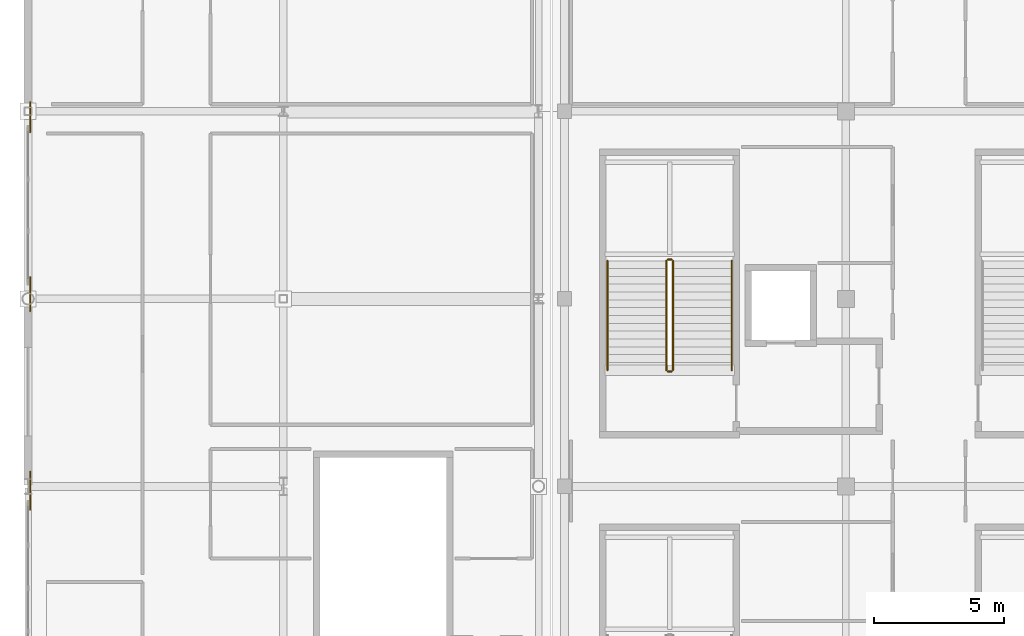
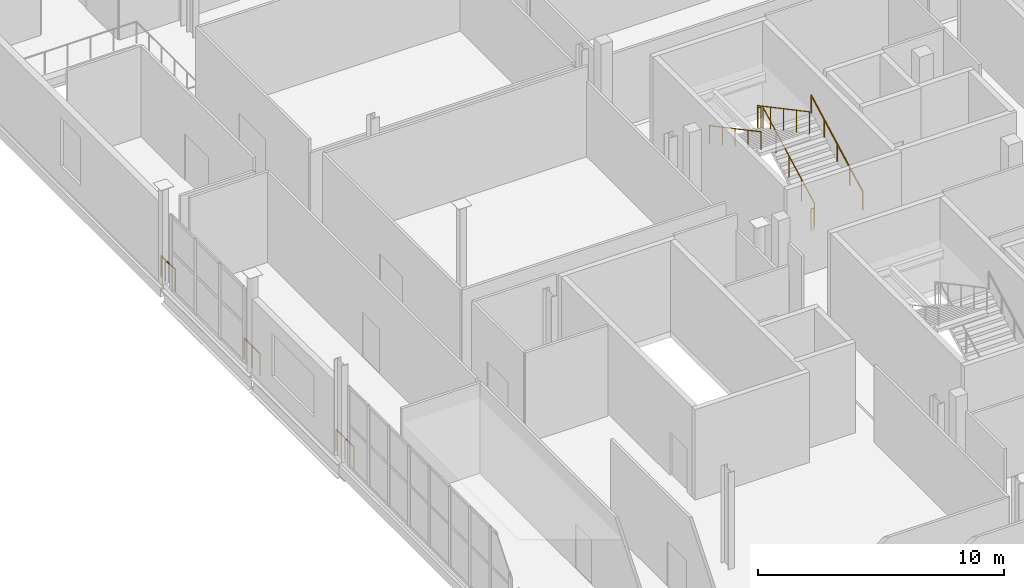
# One storey, part 123 of 142: 10 railings.
"""IFC4 building model written with IfcOpenShell, lengths in metres."""

import ifcopenshell
import ifcopenshell.guid

model = None  # the IFC model being written
_history = None  # IfcOwnerHistory: only IFC2X3 demands one
_inside = {}  # id of a spatial element -> (the spatial element, [elements in it])
_under = {}  # id of a project, library or spatial element -> (it, [spatial elements below it])
_declared = {}  # id of a project -> (the project, [libraries it declares])
_typed = {}  # id of a type object -> (the type object, [elements of that type])
_made_of = {}  # id of a material, layer set ... -> (it, [elements and type objects made of it])


def new_model(schema):
    """Start an empty IFC model of exactly this schema.

    Asked for "IFC4X3", IfcOpenShell would pick the latest addendum, in which some entities
    have other attributes; the version numbers below select the first issue.
    IFC2X3 requires an IfcOwnerHistory on every rooted entity: one is made here for all.
    """
    global model, _history
    if schema == "IFC4X3":
        model = ifcopenshell.file(schema_version=(4, 3, 0, 0))
    else:
        model = ifcopenshell.file(schema=schema)
    _inside.clear()
    _under.clear()
    _declared.clear()
    _typed.clear()
    _made_of.clear()
    _history = None
    if model.schema == "IFC2X3":
        org = make("IfcOrganization", Name="unknown")
        user = make(
            "IfcPersonAndOrganization",
            ThePerson=make("IfcPerson", FamilyName="unknown"),
            TheOrganization=org,
        )
        app = make(
            "IfcApplication",
            ApplicationDeveloper=org,
            Version="unknown",
            ApplicationFullName="unknown",
            ApplicationIdentifier="unknown",
        )
        _history = make(
            "IfcOwnerHistory",
            OwningUser=user,
            OwningApplication=app,
            ChangeAction="ADDED",
            CreationDate=0,
        )
    return model


def make(cls, **values):
    """One entity of the class cls with the attributes given. An attribute that is None is left unset."""
    return model.create_entity(
        cls, **{name: value for name, value in values.items() if value is not None}
    )


def rooted(cls, **values):
    """An entity with a GlobalId (a new one), such as an element, a storey or a relation."""
    return make(cls, GlobalId=ifcopenshell.guid.new(), OwnerHistory=_history, **values)


def si_unit(unit_type, name, prefix=None):
    """IfcSIUnit, for example si_unit("LENGTHUNIT", "METRE", prefix="MILLI")."""
    return make("IfcSIUnit", UnitType=unit_type, Prefix=prefix, Name=name)


def assignment(units):
    """IfcUnitAssignment: the units of a project."""
    return None if units is None else make("IfcUnitAssignment", Units=units)


def point(xyz):
    """IfcCartesianPoint."""
    return None if xyz is None else make("IfcCartesianPoint", Coordinates=xyz)


def direction(xyz):
    """IfcDirection."""
    return None if xyz is None else make("IfcDirection", DirectionRatios=xyz)


def frame(location, z_axis=None, x_axis=None):
    """IfcAxis2Placement3D, a coordinate frame: its origin and axes. An axis left out is left unset."""
    return make(
        "IfcAxis2Placement3D",
        Location=point(location),
        Axis=direction(z_axis),
        RefDirection=direction(x_axis),
    )


def frame_2d(location, x_axis=None):
    """IfcAxis2Placement2D, a coordinate frame in the plane: its origin and x axis."""
    return make(
        "IfcAxis2Placement2D", Location=point(location), RefDirection=direction(x_axis)
    )


def origin():
    """The frame at (0, 0, 0) with its axes left unset."""
    return frame((0.0, 0.0, 0.0))


def origin_2d():
    """The frame at (0, 0) in the plane with its x axis left unset."""
    return frame_2d((0.0, 0.0))


def place(relative_to, where):
    """IfcLocalPlacement: puts the frame where relative to a parent placement (None: the world)."""
    return make(
        "IfcLocalPlacement", PlacementRelTo=relative_to, RelativePlacement=where
    )


def context(
    kind, dimensions, precision=None, world=None, true_north=None, identifier=None
):
    """IfcGeometricRepresentationContext, for example the 3D "Model" context."""
    return make(
        "IfcGeometricRepresentationContext",
        ContextIdentifier=identifier,
        ContextType=kind,
        CoordinateSpaceDimension=dimensions,
        Precision=precision,
        WorldCoordinateSystem=world,
        TrueNorth=true_north,
    )


def subcontext(parent, identifier, kind, view, scale=None):
    """IfcGeometricRepresentationSubContext, for example "Body" below "Model"."""
    return make(
        "IfcGeometricRepresentationSubContext",
        ContextIdentifier=identifier,
        ContextType=kind,
        ParentContext=parent,
        TargetScale=scale,
        TargetView=view,
    )


def project(units=None, contexts=None):
    """IfcProject with its units and contexts."""
    return rooted(
        "IfcProject",
        Name="project",
        RepresentationContexts=contexts,
        UnitsInContext=assignment(units),
    )


def spatial(cls, under=None, at=None, **own):
    """A site, building, storey or space (cls), placed at a placement, below another one or the project."""
    s = rooted(cls, ObjectPlacement=at, **own)
    if under is not None:
        _under.setdefault(under.id(), (under, []))[1].append(s)
    return s


def profile(cls, at=None, kind="AREA", **sizes):
    """A parametric profile (cls). Its sizes go by their IFC names, for example OverallWidth=200.0."""
    return make(cls, ProfileType=kind, Position=at, **sizes)


def circle(**sizes):
    """IfcCircleProfileDef."""
    return profile("IfcCircleProfileDef", **sizes)


def extrude(swept, where, along, depth):
    """IfcExtrudedAreaSolid: the profile swept, set in the frame where, extruded along a direction by depth."""
    return make(
        "IfcExtrudedAreaSolid",
        SweptArea=swept,
        Position=where,
        ExtrudedDirection=direction(along),
        Depth=depth,
    )


def shape(context_of_items, identifier, shape_type, items):
    """IfcShapeRepresentation: the items that make up one representation, for example the "Body"."""
    return make(
        "IfcShapeRepresentation",
        ContextOfItems=context_of_items,
        RepresentationIdentifier=identifier,
        RepresentationType=shape_type,
        Items=items,
    )


def material(Name=None, Category=None):
    """IfcMaterial."""
    return make("IfcMaterial", Name=Name, Category=Category)


def made_of(thing, what):
    """Note that an element or type object is made of a material, layer set ...; save() writes the relation."""
    if what is not None:
        _made_of.setdefault(what.id(), (what, []))[1].append(thing)
    return thing


def type_object(cls, material=None, **own):
    """A type object (cls), such as IfcWallType, which elements share."""
    return made_of(rooted(cls, **own), material)


def element(
    cls,
    number,
    at=None,
    inside=None,
    cuts=None,
    type_object=None,
    material=None,
    context=None,
    identifier="Body",
    shape_type=None,
    held_by="IfcProductDefinitionShape",
    body=None,
    shapes=None,
    **own,
):
    """One element of the class cls, such as IfcWall. Its Tag is "e" and its number.

    at: its placement. inside: the storey or other place that contains it. cuts: it is an
    opening in that element (IfcRelVoidsElement). A single representation is given by context,
    identifier, shape_type and body (its items); several are given by shapes. held_by: the class
    of the entity that holds the representations. save() writes the other relations.
    """
    e = rooted(cls, Tag="e%d" % number, ObjectPlacement=at, **own)
    if body is not None:
        shapes = [shape(context, identifier, shape_type, body)]
    if shapes is not None:
        e.Representation = make(held_by, Representations=shapes)
    if inside is not None:
        _inside.setdefault(inside.id(), (inside, []))[1].append(e)
    if cuts is not None:
        rooted(
            "IfcRelVoidsElement", RelatingBuildingElement=cuts, RelatedOpeningElement=e
        )
    if type_object is not None:
        _typed.setdefault(type_object.id(), (type_object, []))[1].append(e)
    return made_of(e, material)


def aggregate(whole, parts):
    """IfcRelAggregates: a whole, such as a stair, and the parts it consists of."""
    return rooted("IfcRelAggregates", RelatingObject=whole, RelatedObjects=parts)


def save(model, path):
    """Write the relations noted so far, then the file.

    IfcRelAggregates (storeys below a building ...), IfcRelContainedInSpatialStructure (elements
    in a storey), IfcRelDefinesByType, IfcRelAssociatesMaterial and IfcRelDeclares: one each for
    every whole, place, type object, material and project.
    """
    for whole, parts in _under.values():
        aggregate(whole, parts)
    for where, things in _inside.values():
        rooted(
            "IfcRelContainedInSpatialStructure",
            RelatedElements=things,
            RelatingStructure=where,
        )
    for kind, things in _typed.values():
        rooted("IfcRelDefinesByType", RelatedObjects=things, RelatingType=kind)
    for what, things in _made_of.values():
        rooted("IfcRelAssociatesMaterial", RelatedObjects=things, RelatingMaterial=what)
    for by, libraries in _declared.values():
        rooted("IfcRelDeclares", RelatingContext=by, RelatedDefinitions=libraries)
    model.write(path)


model = new_model("IFC4")

# Units and contexts
model_context = context("Model", 3, precision=1e-05, world=origin(), true_north=direction((0.0, 1.0)))
body_context = subcontext(model_context, "Body", "Model", "MODEL_VIEW")
ifc_project = project(units=[si_unit("LENGTHUNIT", "METRE"), si_unit("AREAUNIT", "SQUARE_METRE"), si_unit("VOLUMEUNIT", "CUBIC_METRE"), si_unit("PLANEANGLEUNIT", "RADIAN"), si_unit("MASSUNIT", "GRAM", prefix="KILO")], contexts=[model_context])

# Site, building, storey
site_placement = place(None, origin())
site = spatial("IfcSite", under=ifc_project, at=site_placement, CompositionType="ELEMENT")
building_placement = place(site_placement, origin())
building = spatial("IfcBuilding", under=site, at=building_placement, Name="Koshinbarg Plaza Stadium", CompositionType="ELEMENT")
storey_placement = place(building_placement, frame((0.0, 0.0, 10.199951171875)))
storey = spatial("IfcBuildingStorey", under=building, at=storey_placement, Name="L02", CompositionType="ELEMENT", Elevation=10.199951171875)

# Railings
ifc_material_1 = material(Name="Toughened laminated glass and stainless steel sightline balustrade", Category="steel")
railing_type_1 = type_object("IfcRailingType", Name="RL-BOWL-1100", PredefinedType="BALUSTRADE", material=ifc_material_1)
railing_1_placement = place(storey_placement, frame((4.080078125, 96.611083984375, 0.0)))
element("IfcRailing", 1, at=railing_1_placement, inside=storey, type_object=railing_type_1, Name="L02 deck edge safety balustrade 0204", PredefinedType="BALUSTRADE", context=body_context, shape_type="SweptSolid", body=[
    extrude(circle(Radius=0.02392578125, at=origin_2d()), frame((0.0, 0.0, 1.076171875), z_axis=(0.0, 1.0, 0.0), x_axis=(-1.0, 0.0, 0.0)), (0.0, 0.0, 1.0), 1.44580078125),
    extrude(circle(Radius=0.02099609375, at=origin_2d()), origin(), (0.0, 0.0, 1.0), 1.052001953125),
    extrude(circle(Radius=0.02099609375, at=origin_2d()), frame((0.0, 0.722900390625, 0.0)), (0.0, 0.0, 1.0), 1.052001953125),
    extrude(circle(Radius=0.02099609375, at=origin_2d()), frame((0.0, 1.44580078125, 0.0)), (0.0, 0.0, 1.0), 1.052001953125),
])
railing_2_placement = place(storey_placement, frame((4.080078125, 104.230224609375, 0.0)))
element("IfcRailing", 2, at=railing_2_placement, inside=storey, type_object=railing_type_1, Name="L02 deck edge safety balustrade 0205", PredefinedType="BALUSTRADE", context=body_context, shape_type="SweptSolid", body=[
    extrude(circle(Radius=0.02392578125, at=origin_2d()), frame((0.0, 0.0, 1.076171875), z_axis=(0.0, 1.0, 0.0), x_axis=(-1.0, 0.0, 0.0)), (0.0, 0.0, 1.0), 1.29638671875),
    extrude(circle(Radius=0.02099609375, at=origin_2d()), origin(), (0.0, 0.0, 1.0), 1.052001953125),
    extrude(circle(Radius=0.02099609375, at=origin_2d()), frame((0.0, 0.648193359375, 0.0)), (0.0, 0.0, 1.0), 1.052001953125),
    extrude(circle(Radius=0.02099609375, at=origin_2d()), frame((0.0, 1.29638671875, 0.0)), (0.0, 0.0, 1.0), 1.052001953125),
])
railing_3_placement = place(storey_placement, frame((4.080078125, 111.102294921875, 0.0)))
element("IfcRailing", 3, at=railing_3_placement, inside=storey, type_object=railing_type_1, Name="L02 deck edge safety balustrade 0206", PredefinedType="BALUSTRADE", context=body_context, shape_type="SweptSolid", body=[
    extrude(circle(Radius=0.02392578125, at=origin_2d()), frame((0.0, 0.0, 1.076171875), z_axis=(0.0, 1.0, 0.0), x_axis=(-1.0, 0.0, 0.0)), (0.0, 0.0, 1.0), 0.797607421875),
    extrude(circle(Radius=0.02099609375, at=origin_2d()), origin(), (0.0, 0.0, 1.0), 1.052001953125),
    extrude(circle(Radius=0.02099609375, at=origin_2d()), frame((0.0, 0.797607421875, 0.0)), (0.0, 0.0, 1.0), 1.052001953125),
])
railing_4_placement = place(storey_placement, frame((4.080078125, 111.89990234375, 0.0)))
element("IfcRailing", 4, at=railing_4_placement, inside=storey, type_object=railing_type_1, Name="L02 deck edge safety balustrade 0207", PredefinedType="BALUSTRADE", context=body_context, shape_type="SweptSolid", body=[
    extrude(circle(Radius=0.02392578125, at=origin_2d()), frame((0.0, 0.0, 1.076171875), z_axis=(0.0, 1.0, 0.0), x_axis=(-1.0, 0.0, 0.0)), (0.0, 0.0, 1.0), 0.349609375),
    extrude(circle(Radius=0.02099609375, at=origin_2d()), origin(), (0.0, 0.0, 1.0), 1.052001953125),
    extrude(circle(Radius=0.02099609375, at=origin_2d()), frame((0.0, 0.349609375, 0.0)), (0.0, 0.0, 1.0), 1.052001953125),
])
ifc_material_2 = material(Name="Galvanized painted steel guardrail", Category="steel")
railing_type_2 = type_object("IfcRailingType", Name="RL-GUARD-1100", PredefinedType="GUARDRAIL", material=ifc_material_2)
railing_5_placement = place(storey_placement, frame((28.760009765625, 101.9599609375, 0.16015625)))
element("IfcRailing", 5, at=railing_5_placement, inside=storey, type_object=railing_type_2, Name="L02 C06 stair guard 1", PredefinedType="GUARDRAIL", context=body_context, shape_type="SweptSolid", body=[
    extrude(circle(Radius=0.02392578125, at=origin_2d()), frame((0.0, 0.0, 1.076171875), z_axis=(0.0, 0.882351521365, 0.470590897432), x_axis=(-1.0, 0.0, 0.0)), (0.0, 0.0, 1.0), 4.760009765625),
    extrude(circle(Radius=0.02099609375, at=origin_2d()), origin(), (0.0, 0.0, 1.0), 1.052001953125),
    extrude(circle(Radius=0.02099609375, at=origin_2d()), frame((0.0, 1.050048828125, 0.56005859375)), (0.0, 0.0, 1.0), 1.052001953125),
    extrude(circle(Radius=0.02099609375, at=origin_2d()), frame((0.0, 2.10009765625, 1.1201171875)), (0.0, 0.0, 1.0), 1.052001953125),
    extrude(circle(Radius=0.02099609375, at=origin_2d()), frame((0.0, 3.14990234375, 1.679931640625)), (0.0, 0.0, 1.0), 1.052001953125),
    extrude(circle(Radius=0.02099609375, at=origin_2d()), frame((0.0, 4.199951171875, 2.239990234375)), (0.0, 0.0, 1.0), 1.052001953125),
])
railing_6_placement = place(storey_placement, frame((28.7099609375, 106.2099609375, 2.400146484375)))
element("IfcRailing", 6, at=railing_6_placement, inside=storey, type_object=railing_type_2, Name="L02 C06 stair guard 2", PredefinedType="GUARDRAIL", context=body_context, shape_type="SweptSolid", body=[
    extrude(circle(Radius=0.02392578125, at=origin_2d()), frame((0.0, 0.0, 1.076171875), z_axis=(-1.0, 0.0, 0.0), x_axis=(0.0, -1.0, 0.0)), (0.0, 0.0, 1.0), 0.14990234375),
    extrude(circle(Radius=0.02099609375, at=origin_2d()), origin(), (0.0, 0.0, 1.0), 1.052001953125),
    extrude(circle(Radius=0.02099609375, at=origin_2d()), frame((-0.14990234375, 0.0, 0.0)), (0.0, 0.0, 1.0), 1.052001953125),
])
railing_7_placement = place(storey_placement, frame((28.510009765625, 106.159912109375, 2.56005859375)))
element("IfcRailing", 7, at=railing_7_placement, inside=storey, type_object=railing_type_2, Name="L02 C06 stair guard 3", PredefinedType="GUARDRAIL", context=body_context, shape_type="SweptSolid", body=[
    extrude(circle(Radius=0.02392578125, at=origin_2d()), frame((0.0, 0.0, 1.076171875), z_axis=(0.0, -0.882351521365, 0.470590897432), x_axis=(1.0, 0.0, 0.0)), (0.0, 0.0, 1.0), 4.760009765625),
    extrude(circle(Radius=0.02099609375, at=origin_2d()), origin(), (0.0, 0.0, 1.0), 1.052001953125),
    extrude(circle(Radius=0.02099609375, at=origin_2d()), frame((0.0, -1.050048828125, 0.56005859375)), (0.0, 0.0, 1.0), 1.052001953125),
    extrude(circle(Radius=0.02099609375, at=origin_2d()), frame((0.0, -2.10009765625, 1.1201171875)), (0.0, 0.0, 1.0), 1.052001953125),
    extrude(circle(Radius=0.02099609375, at=origin_2d()), frame((0.0, -3.14990234375, 1.679931640625)), (0.0, 0.0, 1.0), 1.052001953125),
    extrude(circle(Radius=0.02099609375, at=origin_2d()), frame((0.0, -4.199951171875, 2.239990234375)), (0.0, 0.0, 1.0), 1.052001953125),
])
railing_8_placement = place(storey_placement, frame((28.7099609375, 101.909912109375, 0.0)))
element("IfcRailing", 8, at=railing_8_placement, inside=storey, type_object=railing_type_2, Name="L02 C06 stair guard 4", PredefinedType="GUARDRAIL", context=body_context, shape_type="SweptSolid", body=[
    extrude(circle(Radius=0.02392578125, at=origin_2d()), frame((0.0, 0.0, 1.076171875), z_axis=(-1.0, 0.0, 0.0), x_axis=(0.0, -1.0, 0.0)), (0.0, 0.0, 1.0), 0.14990234375),
    extrude(circle(Radius=0.02099609375, at=origin_2d()), origin(), (0.0, 0.0, 1.0), 1.052001953125),
    extrude(circle(Radius=0.02099609375, at=origin_2d()), frame((-0.14990234375, 0.0, 0.0)), (0.0, 0.0, 1.0), 1.052001953125),
])
ifc_material_3 = material(Name="Brushed stainless steel handrail", Category="steel")
railing_type_3 = type_object("IfcRailingType", Name="RL-HAND-900", PredefinedType="HANDRAIL", material=ifc_material_3)
railing_9_placement = place(storey_placement, frame((31.02001953125, 101.9599609375, 0.16015625)))
element("IfcRailing", 9, at=railing_9_placement, inside=storey, type_object=railing_type_3, Name="L02 C06 stair handrail 1", PredefinedType="HANDRAIL", context=body_context, shape_type="SweptSolid", body=[
    extrude(circle(Radius=0.02392578125, at=origin_2d()), frame((0.0, 0.0, 0.8759765625), z_axis=(0.0, 0.882351521365, 0.470590897432), x_axis=(-1.0, 0.0, 0.0)), (0.0, 0.0, 1.0), 4.760009765625),
    extrude(circle(Radius=0.02099609375, at=origin_2d()), origin(), (0.0, 0.0, 1.0), 0.851806640625),
    extrude(circle(Radius=0.02099609375, at=origin_2d()), frame((0.0, 1.050048828125, 0.56005859375)), (0.0, 0.0, 1.0), 0.851806640625),
    extrude(circle(Radius=0.02099609375, at=origin_2d()), frame((0.0, 2.10009765625, 1.1201171875)), (0.0, 0.0, 1.0), 0.851806640625),
    extrude(circle(Radius=0.02099609375, at=origin_2d()), frame((0.0, 3.14990234375, 1.679931640625)), (0.0, 0.0, 1.0), 0.851806640625),
    extrude(circle(Radius=0.02099609375, at=origin_2d()), frame((0.0, 4.199951171875, 2.239990234375)), (0.0, 0.0, 1.0), 0.851806640625),
])
railing_10_placement = place(storey_placement, frame((26.25, 106.159912109375, 2.56005859375)))
element("IfcRailing", 10, at=railing_10_placement, inside=storey, type_object=railing_type_3, Name="L02 C06 stair handrail 2", PredefinedType="HANDRAIL", context=body_context, shape_type="SweptSolid", body=[
    extrude(circle(Radius=0.02392578125, at=origin_2d()), frame((0.0, 0.0, 0.8759765625), z_axis=(0.0, -0.882351521365, 0.470590897432), x_axis=(1.0, 0.0, 0.0)), (0.0, 0.0, 1.0), 4.760009765625),
    extrude(circle(Radius=0.02099609375, at=origin_2d()), origin(), (0.0, 0.0, 1.0), 0.851806640625),
    extrude(circle(Radius=0.02099609375, at=origin_2d()), frame((0.0, -1.050048828125, 0.56005859375)), (0.0, 0.0, 1.0), 0.851806640625),
    extrude(circle(Radius=0.02099609375, at=origin_2d()), frame((0.0, -2.10009765625, 1.1201171875)), (0.0, 0.0, 1.0), 0.851806640625),
    extrude(circle(Radius=0.02099609375, at=origin_2d()), frame((0.0, -3.14990234375, 1.679931640625)), (0.0, 0.0, 1.0), 0.851806640625),
    extrude(circle(Radius=0.02099609375, at=origin_2d()), frame((0.0, -4.199951171875, 2.239990234375)), (0.0, 0.0, 1.0), 0.851806640625),
])

save(model, "model.ifc")
